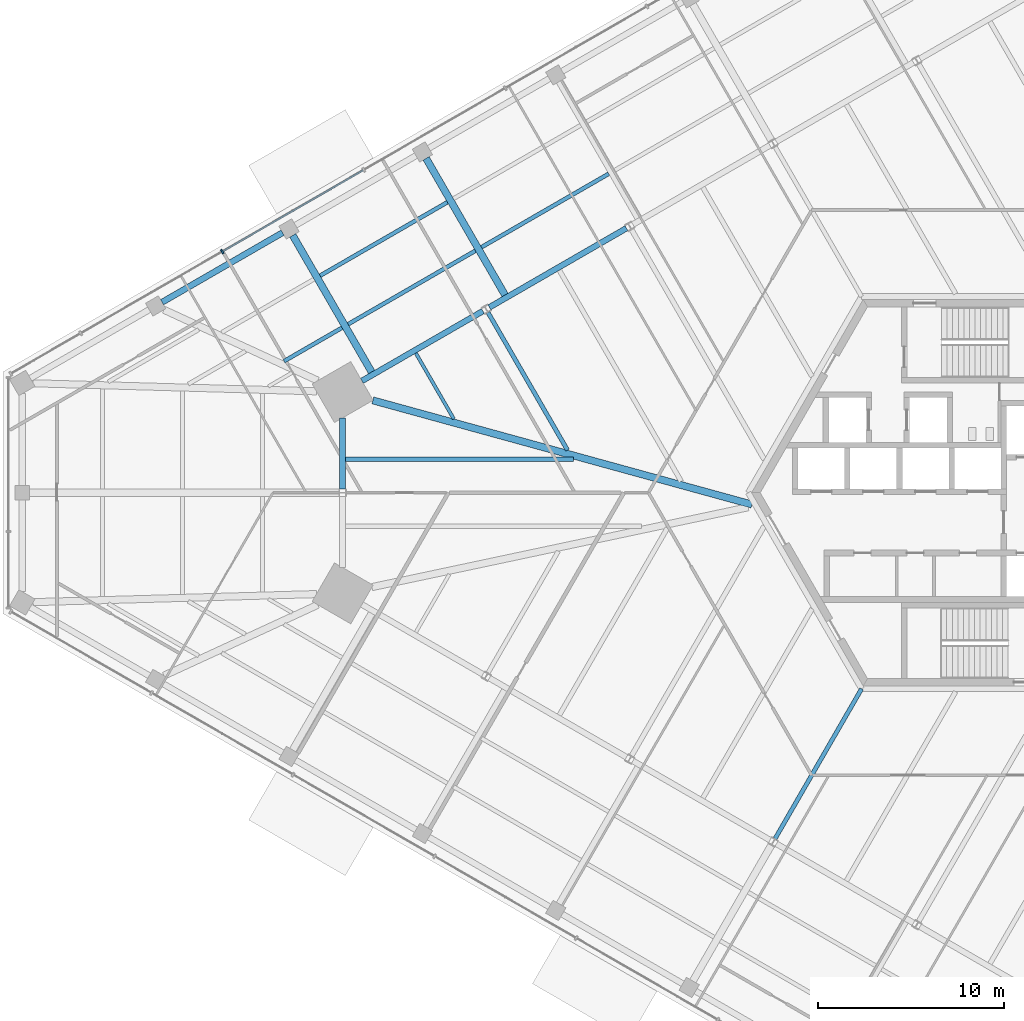
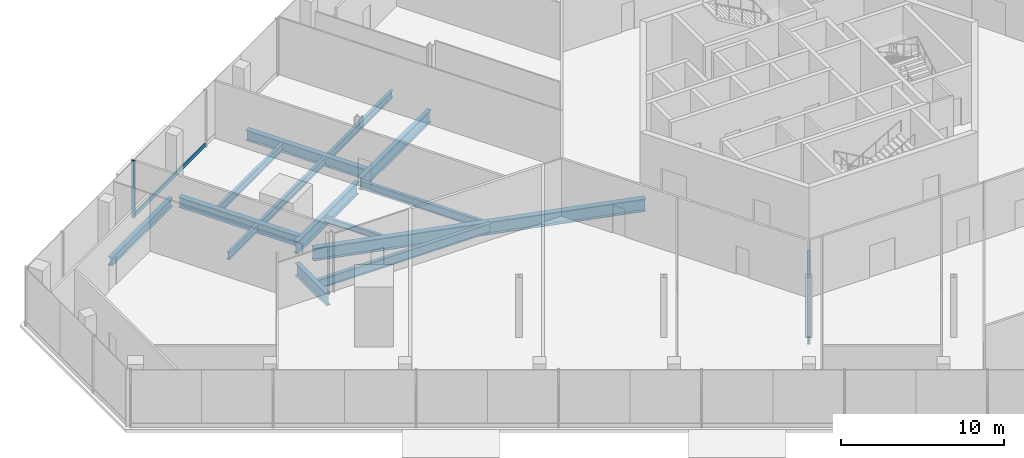
# One storey, part 8 of 27: 15 beams, 2 members, 1 element without a shape of its own.
"""IFC4 building model written with IfcOpenShell, lengths in metres."""

import ifcopenshell
import ifcopenshell.guid

model = None  # the IFC model being written
_history = None  # IfcOwnerHistory: only IFC2X3 demands one
_inside = {}  # id of a spatial element -> (the spatial element, [elements in it])
_under = {}  # id of a project, library or spatial element -> (it, [spatial elements below it])
_declared = {}  # id of a project -> (the project, [libraries it declares])
_typed = {}  # id of a type object -> (the type object, [elements of that type])
_made_of = {}  # id of a material, layer set ... -> (it, [elements and type objects made of it])


def new_model(schema):
    """Start an empty IFC model of exactly this schema.

    Asked for "IFC4X3", IfcOpenShell would pick the latest addendum, in which some entities
    have other attributes; the version numbers below select the first issue.
    IFC2X3 requires an IfcOwnerHistory on every rooted entity: one is made here for all.
    """
    global model, _history
    if schema == "IFC4X3":
        model = ifcopenshell.file(schema_version=(4, 3, 0, 0))
    else:
        model = ifcopenshell.file(schema=schema)
    _inside.clear()
    _under.clear()
    _declared.clear()
    _typed.clear()
    _made_of.clear()
    _history = None
    if model.schema == "IFC2X3":
        org = make("IfcOrganization", Name="unknown")
        user = make(
            "IfcPersonAndOrganization",
            ThePerson=make("IfcPerson", FamilyName="unknown"),
            TheOrganization=org,
        )
        app = make(
            "IfcApplication",
            ApplicationDeveloper=org,
            Version="unknown",
            ApplicationFullName="unknown",
            ApplicationIdentifier="unknown",
        )
        _history = make(
            "IfcOwnerHistory",
            OwningUser=user,
            OwningApplication=app,
            ChangeAction="ADDED",
            CreationDate=0,
        )
    return model


def make(cls, **values):
    """One entity of the class cls with the attributes given. An attribute that is None is left unset."""
    return model.create_entity(
        cls, **{name: value for name, value in values.items() if value is not None}
    )


def rooted(cls, **values):
    """An entity with a GlobalId (a new one), such as an element, a storey or a relation."""
    return make(cls, GlobalId=ifcopenshell.guid.new(), OwnerHistory=_history, **values)


def si_unit(unit_type, name, prefix=None):
    """IfcSIUnit, for example si_unit("LENGTHUNIT", "METRE", prefix="MILLI")."""
    return make("IfcSIUnit", UnitType=unit_type, Prefix=prefix, Name=name)


def assignment(units):
    """IfcUnitAssignment: the units of a project."""
    return None if units is None else make("IfcUnitAssignment", Units=units)


def point(xyz):
    """IfcCartesianPoint."""
    return None if xyz is None else make("IfcCartesianPoint", Coordinates=xyz)


def direction(xyz):
    """IfcDirection."""
    return None if xyz is None else make("IfcDirection", DirectionRatios=xyz)


def frame(location, z_axis=None, x_axis=None):
    """IfcAxis2Placement3D, a coordinate frame: its origin and axes. An axis left out is left unset."""
    return make(
        "IfcAxis2Placement3D",
        Location=point(location),
        Axis=direction(z_axis),
        RefDirection=direction(x_axis),
    )


def frame_2d(location, x_axis=None):
    """IfcAxis2Placement2D, a coordinate frame in the plane: its origin and x axis."""
    return make(
        "IfcAxis2Placement2D", Location=point(location), RefDirection=direction(x_axis)
    )


def origin():
    """The frame at (0, 0, 0) with its axes left unset."""
    return frame((0.0, 0.0, 0.0))


def origin_2d():
    """The frame at (0, 0) in the plane with its x axis left unset."""
    return frame_2d((0.0, 0.0))


def place(relative_to, where):
    """IfcLocalPlacement: puts the frame where relative to a parent placement (None: the world)."""
    return make(
        "IfcLocalPlacement", PlacementRelTo=relative_to, RelativePlacement=where
    )


def context(
    kind, dimensions, precision=None, world=None, true_north=None, identifier=None
):
    """IfcGeometricRepresentationContext, for example the 3D "Model" context."""
    return make(
        "IfcGeometricRepresentationContext",
        ContextIdentifier=identifier,
        ContextType=kind,
        CoordinateSpaceDimension=dimensions,
        Precision=precision,
        WorldCoordinateSystem=world,
        TrueNorth=true_north,
    )


def subcontext(parent, identifier, kind, view, scale=None):
    """IfcGeometricRepresentationSubContext, for example "Body" below "Model"."""
    return make(
        "IfcGeometricRepresentationSubContext",
        ContextIdentifier=identifier,
        ContextType=kind,
        ParentContext=parent,
        TargetScale=scale,
        TargetView=view,
    )


def project(units=None, contexts=None):
    """IfcProject with its units and contexts."""
    return rooted(
        "IfcProject",
        Name="project",
        RepresentationContexts=contexts,
        UnitsInContext=assignment(units),
    )


def spatial(cls, under=None, at=None, **own):
    """A site, building, storey or space (cls), placed at a placement, below another one or the project."""
    s = rooted(cls, ObjectPlacement=at, **own)
    if under is not None:
        _under.setdefault(under.id(), (under, []))[1].append(s)
    return s


def profile(cls, at=None, kind="AREA", **sizes):
    """A parametric profile (cls). Its sizes go by their IFC names, for example OverallWidth=200.0."""
    return make(cls, ProfileType=kind, Position=at, **sizes)


def rectangle(**sizes):
    """IfcRectangleProfileDef."""
    return profile("IfcRectangleProfileDef", **sizes)


def i_section(**sizes):
    """IfcIShapeProfileDef."""
    return profile("IfcIShapeProfileDef", **sizes)


def extrude(swept, where, along, depth):
    """IfcExtrudedAreaSolid: the profile swept, set in the frame where, extruded along a direction by depth."""
    return make(
        "IfcExtrudedAreaSolid",
        SweptArea=swept,
        Position=where,
        ExtrudedDirection=direction(along),
        Depth=depth,
    )


def shape(context_of_items, identifier, shape_type, items):
    """IfcShapeRepresentation: the items that make up one representation, for example the "Body"."""
    return make(
        "IfcShapeRepresentation",
        ContextOfItems=context_of_items,
        RepresentationIdentifier=identifier,
        RepresentationType=shape_type,
        Items=items,
    )


def source(mapping_origin, context_of_items, identifier, shape_type, items):
    """IfcRepresentationMap: a shape defined once, which mapped items show again and again."""
    return make(
        "IfcRepresentationMap",
        MappingOrigin=mapping_origin,
        MappedRepresentation=shape(context_of_items, identifier, shape_type, items),
    )


def transform(
    local_origin,
    x_axis=None,
    y_axis=None,
    z_axis=None,
    scale=None,
    scale2=None,
    scale3=None,
    uniform=True,
):
    """IfcCartesianTransformationOperator3D, or its non-uniform kind. x_axis, y_axis, z_axis: its Axis1, 2, 3."""
    if uniform:
        return make(
            "IfcCartesianTransformationOperator3D",
            Axis1=direction(x_axis),
            Axis2=direction(y_axis),
            LocalOrigin=point(local_origin),
            Scale=scale,
            Axis3=direction(z_axis),
        )
    return make(
        "IfcCartesianTransformationOperator3DnonUniform",
        Axis1=direction(x_axis),
        Axis2=direction(y_axis),
        LocalOrigin=point(local_origin),
        Scale=scale,
        Axis3=direction(z_axis),
        Scale2=scale2,
        Scale3=scale3,
    )


def mapped(mapping_source, mapping_target):
    """IfcMappedItem: shows the shape of a source again, moved by a transform."""
    return make(
        "IfcMappedItem", MappingSource=mapping_source, MappingTarget=mapping_target
    )


def material(Name=None, Category=None):
    """IfcMaterial."""
    return make("IfcMaterial", Name=Name, Category=Category)


def material_profile(
    of_material, cross_section, Name=None, Category=None, Priority=None
):
    """IfcMaterialProfile: a cross section and its material."""
    return make(
        "IfcMaterialProfile",
        Name=Name,
        Material=of_material,
        Profile=cross_section,
        Priority=Priority,
        Category=Category,
    )


def profile_set(profiles, Name=None, composite=None):
    """IfcMaterialProfileSet."""
    return make(
        "IfcMaterialProfileSet",
        Name=Name,
        MaterialProfiles=profiles,
        CompositeProfile=composite,
    )


def made_of(thing, what):
    """Note that an element or type object is made of a material, layer set ...; save() writes the relation."""
    if what is not None:
        _made_of.setdefault(what.id(), (what, []))[1].append(thing)
    return thing


def type_object(cls, material=None, **own):
    """A type object (cls), such as IfcWallType, which elements share."""
    return made_of(rooted(cls, **own), material)


def element(
    cls,
    number,
    at=None,
    inside=None,
    cuts=None,
    type_object=None,
    material=None,
    context=None,
    identifier="Body",
    shape_type=None,
    held_by="IfcProductDefinitionShape",
    body=None,
    shapes=None,
    **own,
):
    """One element of the class cls, such as IfcWall. Its Tag is "e" and its number.

    at: its placement. inside: the storey or other place that contains it. cuts: it is an
    opening in that element (IfcRelVoidsElement). A single representation is given by context,
    identifier, shape_type and body (its items); several are given by shapes. held_by: the class
    of the entity that holds the representations. save() writes the other relations.
    """
    e = rooted(cls, Tag="e%d" % number, ObjectPlacement=at, **own)
    if body is not None:
        shapes = [shape(context, identifier, shape_type, body)]
    if shapes is not None:
        e.Representation = make(held_by, Representations=shapes)
    if inside is not None:
        _inside.setdefault(inside.id(), (inside, []))[1].append(e)
    if cuts is not None:
        rooted(
            "IfcRelVoidsElement", RelatingBuildingElement=cuts, RelatedOpeningElement=e
        )
    if type_object is not None:
        _typed.setdefault(type_object.id(), (type_object, []))[1].append(e)
    return made_of(e, material)


def aggregate(whole, parts):
    """IfcRelAggregates: a whole, such as a stair, and the parts it consists of."""
    return rooted("IfcRelAggregates", RelatingObject=whole, RelatedObjects=parts)


def save(model, path):
    """Write the relations noted so far, then the file.

    IfcRelAggregates (storeys below a building ...), IfcRelContainedInSpatialStructure (elements
    in a storey), IfcRelDefinesByType, IfcRelAssociatesMaterial and IfcRelDeclares: one each for
    every whole, place, type object, material and project.
    """
    for whole, parts in _under.values():
        aggregate(whole, parts)
    for where, things in _inside.values():
        rooted(
            "IfcRelContainedInSpatialStructure",
            RelatedElements=things,
            RelatingStructure=where,
        )
    for kind, things in _typed.values():
        rooted("IfcRelDefinesByType", RelatedObjects=things, RelatingType=kind)
    for what, things in _made_of.values():
        rooted("IfcRelAssociatesMaterial", RelatedObjects=things, RelatingMaterial=what)
    for by, libraries in _declared.values():
        rooted("IfcRelDeclares", RelatingContext=by, RelatedDefinitions=libraries)
    model.write(path)


model = new_model("IFC4")

# Units and contexts
model_context = context("Model", 3, precision=1e-05, world=origin(), true_north=direction((0.0, 1.0)))
body_context = subcontext(model_context, "Body", "Model", "MODEL_VIEW")
ifc_project = project(units=[si_unit("LENGTHUNIT", "METRE"), si_unit("AREAUNIT", "SQUARE_METRE"), si_unit("VOLUMEUNIT", "CUBIC_METRE"), si_unit("PLANEANGLEUNIT", "RADIAN"), si_unit("MASSUNIT", "GRAM", prefix="KILO")], contexts=[model_context])

# Site, building, storey
site_placement = place(None, origin())
site = spatial("IfcSite", under=ifc_project, at=site_placement, CompositionType="ELEMENT")
building_placement = place(site_placement, origin())
building = spatial("IfcBuilding", under=site, at=building_placement, Name="Triune Harvest Tower", CompositionType="ELEMENT")
storey_placement = place(building_placement, frame((0.0, 0.0, 7.0)))
storey = spatial("IfcBuildingStorey", under=building, at=storey_placement, Name="L01", CompositionType="ELEMENT", Elevation=7.0)

# Beams
ifc_material_1 = material(Name="Steel ASTM A992 Gr 50", Category="steel")
ifc_material_profile_1 = material_profile(ifc_material_1, i_section(OverallWidth=0.309814453125, OverallDepth=0.93212890625, WebThickness=0.02099609375, FlangeThickness=0.034423828125, at=origin_2d()), Name="W36x210")
ifc_profile_set_1 = profile_set([ifc_material_profile_1], Name="Steel ASTM A992 Gr 50")
beam_type_1 = type_object("IfcBeamType", Name="SB-3 Spandrel beam W36x210", PredefinedType="SPANDREL", material=ifc_profile_set_1)
shared_shape_1 = source(origin(), body_context, "Body", "SweptSolid", [
    extrude(i_section(OverallWidth=0.309814453125, OverallDepth=0.93212890625, WebThickness=0.02099609375, FlangeThickness=0.034423828125, at=origin_2d()), origin(), (0.0, 0.0, 1.0), 7.508056640625),
])
beam_1_placement = place(storey_placement, frame((-26.447265625, 9.763916015625, -0.666015625), z_axis=(-0.866033425553, -0.499986105632, 0.0), x_axis=(0.499986105632, -0.866033425553, 0.0)))
element("IfcBeam", 1, at=beam_1_placement, inside=storey, type_object=beam_type_1, Name="beam/L01/SB14", PredefinedType="SPANDREL", context=body_context, shape_type="MappedRepresentation", body=[
    mapped(shared_shape_1, transform((0.0, 0.0, 0.0), scale=1.0)),
])
shared_shape_2 = source(origin(), body_context, "Body", "SweptSolid", [
    extrude(i_section(OverallWidth=0.309814453125, OverallDepth=0.93212890625, WebThickness=0.02099609375, FlangeThickness=0.034423828125, at=origin_2d()), origin(), (0.0, 0.0, 1.0), 8.506103515625),
])
beam_2_placement = place(storey_placement, frame((-18.73095703125, 14.218994140625, -0.666015625), z_axis=(-0.866030246746, -0.49999161165, 0.0), x_axis=(0.49999161165, -0.866030246746, 0.0)))
element("IfcBeam", 2, at=beam_2_placement, inside=storey, type_object=beam_type_1, Name="beam/L01/SB13", PredefinedType="SPANDREL", context=body_context, shape_type="MappedRepresentation", body=[
    mapped(shared_shape_2, transform((0.0, 0.0, 0.0), scale=1.0)),
])
shared_shape_3 = source(origin(), body_context, "Body", "SweptSolid", [
    extrude(i_section(OverallWidth=0.309814453125, OverallDepth=0.93212890625, WebThickness=0.02099609375, FlangeThickness=0.034423828125, at=origin_2d()), origin(), (0.0, 0.0, 1.0), 3.822509765625),
])
beam_3_placement = place(storey_placement, frame((-33.988525390625, 4.0244140625, -0.666015625), z_axis=(0.0, -1.0, 0.0), x_axis=(1.0, 0.0, 0.0)))
element("IfcBeam", 3, at=beam_3_placement, inside=storey, type_object=beam_type_1, Name="beam/L01/SB15", PredefinedType="SPANDREL", context=body_context, shape_type="MappedRepresentation", body=[
    mapped(shared_shape_3, transform((0.0, 0.0, 0.0), scale=1.0)),
])
ifc_material_2 = material(Name="Steel ASTM A992 Gr 50", Category="steel")
ifc_material_profile_2 = material_profile(ifc_material_2, i_section(OverallWidth=0.383544921875, OverallDepth=0.9423828125, WebThickness=0.022216796875, FlangeThickness=0.039794921875, at=origin_2d()), Name="W36x232")
ifc_profile_set_2 = profile_set([ifc_material_profile_2], Name="Steel ASTM A992 Gr 50")
beam_type_2 = type_object("IfcBeamType", Name="HG-1 Hip girder W36x232", PredefinedType="BEAM", material=ifc_profile_set_2)
shared_shape_4 = source(origin(), body_context, "Body", "SweptSolid", [
    extrude(i_section(OverallWidth=0.383544921875, OverallDepth=0.9423828125, WebThickness=0.022216796875, FlangeThickness=0.039794921875, at=origin_2d()), origin(), (0.0, 0.0, 1.0), 21.13232421875),
])
beam_4_placement = place(storey_placement, frame((-32.3623046875, 4.963134765625, -0.671142578125), z_axis=(0.964269976316, -0.264921521918, 0.0), x_axis=(0.264921521918, 0.964269976316, 0.0)))
element("IfcBeam", 4, at=beam_4_placement, inside=storey, type_object=beam_type_2, Name="beam/L01/HG4", PredefinedType="BEAM", context=body_context, shape_type="MappedRepresentation", body=[
    mapped(shared_shape_4, transform((0.0, 0.0, 0.0), scale=1.0)),
])
ifc_material_3 = material(Name="Steel ASTM A992 Gr 50", Category="steel")
ifc_material_profile_3 = material_profile(ifc_material_3, i_section(OverallWidth=0.22900390625, OverallDepth=0.612060546875, WebThickness=0.011962890625, FlangeThickness=0.01953125, at=origin_2d()), Name="W24x84")
ifc_profile_set_3 = profile_set([ifc_material_profile_3], Name="Steel ASTM A992 Gr 50")
beam_type_3 = type_object("IfcBeamType", Name="JT-3 Floor joist W24x84", PredefinedType="JOIST", material=ifc_profile_set_3)
shared_shape_5 = source(origin(), body_context, "Body", "SweptSolid", [
    extrude(i_section(OverallWidth=0.22900390625, OverallDepth=0.612060546875, WebThickness=0.011962890625, FlangeThickness=0.01953125, at=origin_2d()), origin(), (0.0, 0.0, 1.0), 8.54736328125),
])
beam_5_placement = place(storey_placement, frame((-26.170654296875, 9.68896484375, -0.506103515625), z_axis=(0.500006795031, -0.866021480636, 0.0), x_axis=(0.866021480636, 0.500006795031, 0.0)))
element("IfcBeam", 5, at=beam_5_placement, inside=storey, type_object=beam_type_3, Name="beam/L01/JT23", PredefinedType="JOIST", context=body_context, shape_type="MappedRepresentation", body=[
    mapped(shared_shape_5, transform((0.0, 0.0, 0.0), scale=1.0)),
])
ifc_material_4 = material(Name="Steel ASTM A992 Gr 50", Category="steel")
ifc_material_profile_4 = material_profile(ifc_material_4, i_section(OverallWidth=0.180908203125, OverallDepth=0.41650390625, WebThickness=0.010986328125, FlangeThickness=0.01806640625, at=origin_2d()), Name="W16x57")
ifc_profile_set_4 = profile_set([ifc_material_profile_4], Name="Steel ASTM A992 Gr 50")
beam_type_4 = type_object("IfcBeamType", Name="JT-1 Floor joist W16x57", PredefinedType="JOIST", material=ifc_profile_set_4)
shared_shape_6 = source(origin(), body_context, "Body", "SweptSolid", [
    extrude(i_section(OverallWidth=0.180908203125, OverallDepth=0.41650390625, WebThickness=0.010986328125, FlangeThickness=0.01806640625, at=origin_2d()), origin(), (0.0, 0.0, 1.0), 4.083984375),
])
beam_6_placement = place(storey_placement, frame((-30.052978515625, 7.50341796875, -0.408203125), z_axis=(0.499996711381, -0.866027302461, 0.0), x_axis=(0.866027302461, 0.499996711381, 0.0)))
element("IfcBeam", 6, at=beam_6_placement, inside=storey, type_object=beam_type_4, Name="beam/L01/JT24", PredefinedType="JOIST", context=body_context, shape_type="MappedRepresentation", body=[
    mapped(shared_shape_6, transform((0.0, 0.0, 0.0), scale=1.0)),
])
ifc_material_5 = material(Name="Steel ASTM A992 Gr 50", Category="steel")
ifc_material_profile_5 = material_profile(ifc_material_5, i_section(OverallWidth=0.253662109375, OverallDepth=0.683349609375, WebThickness=0.012451171875, FlangeThickness=0.01904296875, at=origin_2d()), Name="W27x94")
ifc_profile_set_5 = profile_set([ifc_material_profile_5], Name="Steel ASTM A992 Gr 50")
beam_type_5 = type_object("IfcBeamType", Name="JT-4 Floor joist W27x94", PredefinedType="JOIST", material=ifc_profile_set_5)
shared_shape_7 = source(origin(), body_context, "Body", "SweptSolid", [
    extrude(i_section(OverallWidth=0.253662109375, OverallDepth=0.683349609375, WebThickness=0.012451171875, FlangeThickness=0.01904296875, at=origin_2d()), origin(), (0.0, 0.0, 1.0), 12.24853515625),
])
beam_7_placement = place(storey_placement, frame((-33.833740234375, 1.80322265625, -0.54150390625), z_axis=(1.0, 0.0, 0.0), x_axis=(0.0, 1.0, 0.0)))
element("IfcBeam", 7, at=beam_7_placement, inside=storey, type_object=beam_type_5, Name="beam/L01/JT25", PredefinedType="JOIST", context=body_context, shape_type="MappedRepresentation", body=[
    mapped(shared_shape_7, transform((0.0, 0.0, 0.0), scale=1.0)),
])
shared_shape_8 = source(origin(), body_context, "Body", "SweptSolid", [
    extrude(i_section(OverallWidth=0.22900390625, OverallDepth=0.612060546875, WebThickness=0.011962890625, FlangeThickness=0.01953125, at=origin_2d()), origin(), (0.0, 0.0, 1.0), 9.300537109375),
])
beam_8_placement = place(storey_placement, frame((-10.738037109375, -18.59912109375, -0.506103515625), z_axis=(0.49999285859, 0.86602952684, 0.0), x_axis=(-0.86602952684, 0.49999285859, 0.0)))
element("IfcBeam", 8, at=beam_8_placement, inside=storey, type_object=beam_type_3, Name="beam/L01/JT32", PredefinedType="JOIST", context=body_context, shape_type="MappedRepresentation", body=[
    mapped(shared_shape_8, transform((0.0, 0.0, 0.0), scale=1.0)),
])
ifc_material_6 = material(Name="Steel ASTM A992 Gr 50", Category="steel")
ifc_material_profile_6 = material_profile(ifc_material_6, i_section(OverallWidth=0.32763671875, OverallDepth=0.62744140625, WebThickness=0.0166015625, FlangeThickness=0.027587890625, at=origin_2d()), Name="W24x146")
ifc_profile_set_6 = profile_set([ifc_material_profile_6], Name="Steel ASTM A992 Gr 50")
beam_type_6 = type_object("IfcBeamType", Name="PD-4 Podium edge beam W24x146", PredefinedType="BEAM", material=ifc_profile_set_6)
shared_shape_9 = source(origin(), body_context, "Body", "SweptSolid", [
    extrude(i_section(OverallWidth=0.32763671875, OverallDepth=0.62744140625, WebThickness=0.0166015625, FlangeThickness=0.027587890625, at=origin_2d()), origin(), (0.0, 0.0, 1.0), 7.47998046875),
])
beam_9_placement = place(storey_placement, frame((-37.216064453125, 13.97998046875, -0.513671875), z_axis=(-0.866023067432, -0.500004046659, 0.0), x_axis=(0.500004046659, -0.866023067432, 0.0)))
element("IfcBeam", 9, at=beam_9_placement, inside=storey, type_object=beam_type_6, Name="beam/L01/PE22", PredefinedType="BEAM", context=body_context, shape_type="MappedRepresentation", body=[
    mapped(shared_shape_9, transform((0.0, 0.0, 0.0), scale=1.0)),
])
ifc_material_7 = material(Name="Steel ASTM A992 Gr 50", Category="steel")
ifc_material_profile_7 = material_profile(ifc_material_7, i_section(OverallWidth=0.381103515625, OverallDepth=0.772216796875, WebThickness=0.0166015625, FlangeThickness=0.027099609375, at=origin_2d()), Name="W30x173")
ifc_profile_set_7 = profile_set([ifc_material_profile_7], Name="Steel ASTM A992 Gr 50")
beam_type_7 = type_object("IfcBeamType", Name="PD-3 Podium girder W30x173", PredefinedType="BEAM", material=ifc_profile_set_7)
shared_shape_10 = source(origin(), body_context, "Body", "SweptSolid", [
    extrude(i_section(OverallWidth=0.381103515625, OverallDepth=0.772216796875, WebThickness=0.0166015625, FlangeThickness=0.027099609375, at=origin_2d()), origin(), (0.0, 0.0, 1.0), 8.480712890625),
])
beam_10_placement = place(storey_placement, frame((-29.498779296875, 17.9736328125, -0.586181640625), z_axis=(0.499990755813, -0.866030740852, 0.0), x_axis=(0.866030740852, 0.499990755813, 0.0)))
element("IfcBeam", 10, at=beam_10_placement, inside=storey, type_object=beam_type_7, Name="beam/L01/PR23", PredefinedType="BEAM", context=body_context, shape_type="MappedRepresentation", body=[
    mapped(shared_shape_10, transform((0.0, 0.0, 0.0), scale=1.0)),
])
shared_shape_11 = source(origin(), body_context, "Body", "SweptSolid", [
    extrude(i_section(OverallWidth=0.381103515625, OverallDepth=0.772216796875, WebThickness=0.0166015625, FlangeThickness=0.027099609375, at=origin_2d()), origin(), (0.0, 0.0, 1.0), 8.48046875),
])
beam_11_placement = place(storey_placement, frame((-36.669677734375, 13.83349609375, -0.586181640625), z_axis=(0.50002481252, -0.866011077795, 0.0), x_axis=(0.866011077795, 0.50002481252, 0.0)))
element("IfcBeam", 11, at=beam_11_placement, inside=storey, type_object=beam_type_7, Name="beam/L01/PR24", PredefinedType="BEAM", context=body_context, shape_type="MappedRepresentation", body=[
    mapped(shared_shape_11, transform((0.0, 0.0, 0.0), scale=1.0)),
])
ifc_material_8 = material(Name="Steel ASTM A992 Gr 50", Category="steel")
ifc_material_profile_8 = material_profile(ifc_material_8, i_section(OverallWidth=0.2138671875, OverallDepth=0.548583984375, WebThickness=0.0146484375, FlangeThickness=0.023681640625, at=origin_2d()), Name="W21x93")
ifc_profile_set_8 = profile_set([ifc_material_profile_8], Name="Steel ASTM A992 Gr 50")
beam_type_8 = type_object("IfcBeamType", Name="PD-5 Podium joist W21x93", PredefinedType="JOIST", material=ifc_profile_set_8)
shared_shape_12 = source(origin(), body_context, "Body", "SweptSolid", [
    extrude(i_section(OverallWidth=0.2138671875, OverallDepth=0.548583984375, WebThickness=0.0146484375, FlangeThickness=0.023681640625, at=origin_2d()), origin(), (0.0, 0.0, 1.0), 3.59619140625),
])
beam_12_placement = place(storey_placement, frame((-34.022705078125, 8.8681640625, -0.474365234375), z_axis=(-0.866032969717, -0.499986895192, 0.0), x_axis=(0.499986895192, -0.866032969717, 0.0)))
element("IfcBeam", 12, at=beam_12_placement, inside=storey, type_object=beam_type_8, Name="beam/L01/PJ46", PredefinedType="JOIST", context=body_context, shape_type="MappedRepresentation", body=[
    mapped(shared_shape_12, transform((0.0, 0.0, 0.0), scale=1.0)),
])
shared_shape_13 = source(origin(), body_context, "Body", "SweptSolid", [
    extrude(i_section(OverallWidth=0.2138671875, OverallDepth=0.548583984375, WebThickness=0.0146484375, FlangeThickness=0.023681640625, at=origin_2d()), origin(), (0.0, 0.0, 1.0), 7.899169921875),
])
for number, where, z_axis, x_axis, name in (
    (13, (-19.681396484375, 17.148193359375, -0.474365234375), (-0.866016765394, -0.500014961832, 0.0), (0.500014961832, -0.866016765394, 0.0), "beam/L01/PJ42"),
    (14, (-28.35791015625, 15.616455078125, -0.474365234375), (-0.866030148722, -0.499991781437, 0.0), (0.499991781437, -0.866030148722, 0.0), "beam/L01/PJ43"),
    (15, (-26.85205078125, 13.008056640625, -0.474365234375), (-0.866030148722, -0.499991781437, 0.0), (0.499991781437, -0.866030148722, 0.0), "beam/L01/PJ44"),
):
    element("IfcBeam", number, at=place(storey_placement, frame(where, z_axis=z_axis, x_axis=x_axis)), inside=storey, type_object=beam_type_8, Name=name, PredefinedType="JOIST", context=body_context, shape_type="MappedRepresentation", body=[
        mapped(shared_shape_13, transform((0.0, 0.0, 0.0), scale=1.0)),
    ])

# Curtain wall, members
ifc_material_9 = material(Name="Aluminium bronze anodised", Category="aluminium")
curtain_wall_type = type_object("IfcCurtainWallType", Name="CW-2 Podium shopfront wall", PredefinedType="NOTDEFINED", material=ifc_material_9)
curtain_wall_placement = place(storey_placement, origin())
curtain_wall = element("IfcCurtainWall", 16, at=curtain_wall_placement, inside=storey, type_object=curtain_wall_type, Name="CW-2 PD-F3 L01 run 1")
ifc_material_10 = material(Name="Aluminium bronze anodised", Category="aluminium")
ifc_material_profile_9 = material_profile(ifc_material_10, rectangle(XDim=0.25, YDim=0.090087890625, at=origin_2d()), Name="MU-2 mullion 90 x 250")
ifc_profile_set_9 = profile_set([ifc_material_profile_9], Name="Aluminium bronze anodised")
member_type_1 = type_object("IfcMemberType", Name="MU-2 mullion 90 x 250", PredefinedType="MULLION", material=ifc_profile_set_9)
shared_shape_14 = source(origin(), body_context, "Body", "SweptSolid", [
    extrude(rectangle(XDim=0.25, YDim=0.090087890625, at=origin_2d()), origin(), (0.0, 0.0, 1.0), 4.300048828125),
])
member_1_placement = place(storey_placement, frame((-40.4580078125, 12.9619140625, 0.0), z_axis=(0.0, 0.0, 1.0), x_axis=(0.500000221117, -0.866025276122, 0.0)))
member_1 = element("IfcMember", 17, at=member_1_placement, type_object=member_type_1, Name="CW-2 mullion PD-F3 1.17", PredefinedType="MULLION", context=body_context, shape_type="MappedRepresentation", body=[
    mapped(shared_shape_14, transform((0.0, 0.0, 0.0), scale=1.0)),
])
ifc_material_11 = material(Name="Aluminium bronze anodised", Category="aluminium")
ifc_material_profile_10 = material_profile(ifc_material_11, rectangle(XDim=0.10009765625, YDim=0.300048828125, at=origin_2d()), Name="TR-2 transom 100 x 300")
ifc_profile_set_10 = profile_set([ifc_material_profile_10], Name="Aluminium bronze anodised")
member_type_2 = type_object("IfcMemberType", Name="TR-2 transom 100 x 300", PredefinedType="USERDEFINED", material=ifc_profile_set_10)
shared_shape_15 = source(origin(), body_context, "Body", "SweptSolid", [
    extrude(rectangle(XDim=0.10009765625, YDim=0.300048828125, at=origin_2d()), origin(), (0.0, 0.0, 1.0), 8.69677734375),
])
member_2_placement = place(storey_placement, frame((-32.887451171875, 17.332763671875, 0.14990234375), z_axis=(-0.86602149507, -0.500006770031, 0.0), x_axis=(0.500006770031, -0.86602149507, 0.0)))
member_2 = element("IfcMember", 18, at=member_2_placement, type_object=member_type_2, Name="CW-2 transom PD-F3 1.8", ObjectType="TRANSOM", PredefinedType="USERDEFINED", context=body_context, shape_type="MappedRepresentation", body=[
    mapped(shared_shape_15, transform((0.0, 0.0, 0.0), scale=1.0)),
])
aggregate(curtain_wall, [member_1, member_2])

save(model, "model.ifc")
